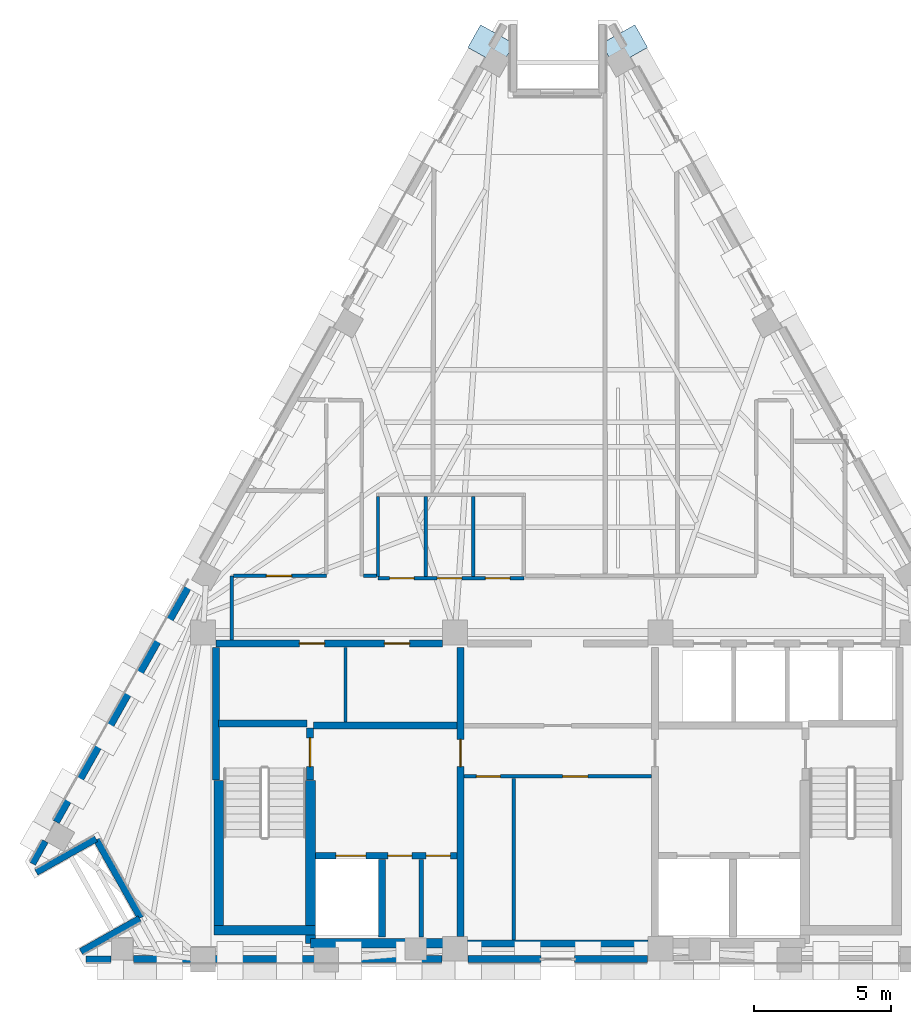
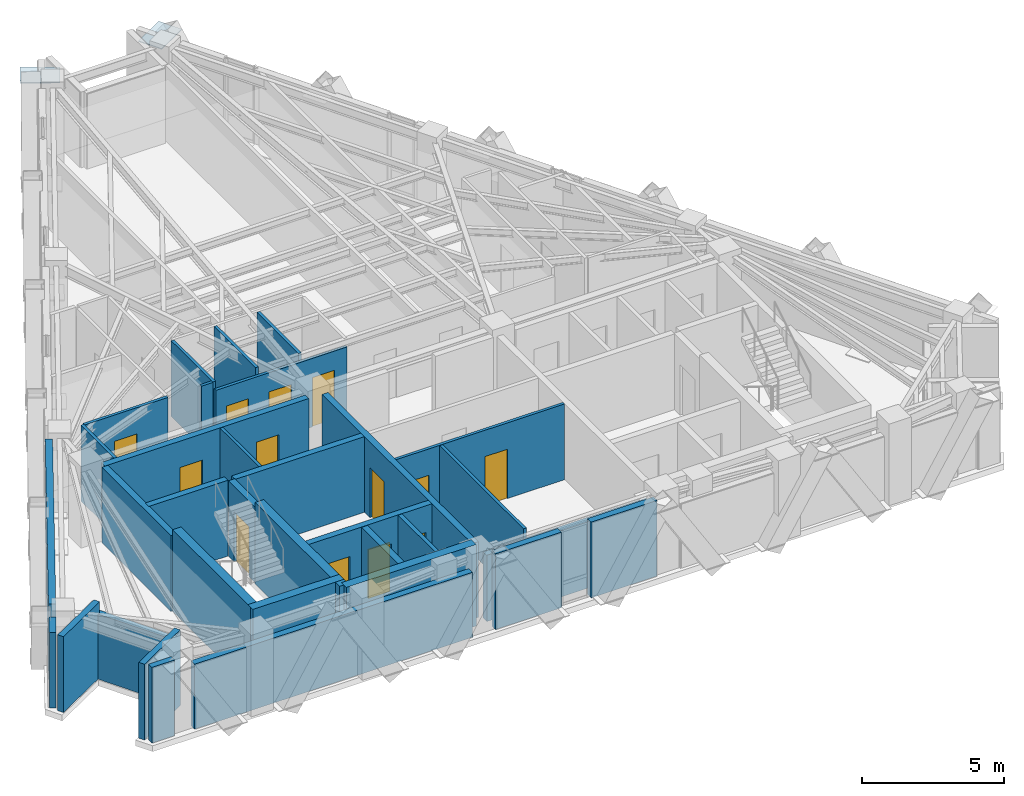
# One storey, part 5 of 9: 33 walls, 13 doors, 2 plates, 13 openings.
"""IFC4 building model written with IfcOpenShell, lengths in metres."""

from ifc_helpers import new_model, si_unit, direction, frame, frame_2d, origin, origin_2d, place, context, subcontext, project, spatial, rectangle, extrude, material, layer, layer_set, type_object, element, fill, save


model = new_model("IFC4")

# Units and contexts
model_context = context("Model", 3, precision=1e-05, world=origin(), true_north=direction((0.0, 1.0)))
body_context = subcontext(model_context, "Body", "Model", "MODEL_VIEW")
ifc_project = project(units=[si_unit("LENGTHUNIT", "METRE"), si_unit("AREAUNIT", "SQUARE_METRE"), si_unit("VOLUMEUNIT", "CUBIC_METRE"), si_unit("PLANEANGLEUNIT", "RADIAN"), si_unit("MASSUNIT", "GRAM", prefix="KILO")], contexts=[model_context])

# Site, building, storey
site_placement = place(None, origin())
site = spatial("IfcSite", under=ifc_project, at=site_placement, CompositionType="ELEMENT")
building_placement = place(site_placement, origin())
building = spatial("IfcBuilding", under=site, at=building_placement, Name="Quenlor Broadcast Tower", CompositionType="ELEMENT")
storey_placement = place(building_placement, frame((0.0, 0.0, 235.89990234375)))
storey = spatial("IfcBuildingStorey", under=building, at=storey_placement, Name="L65", CompositionType="ELEMENT", Elevation=235.89990234375)

# Plates
ifc_material_1 = material(Name="Steel S355", Category="steel")
ifc_layer_1 = layer(ifc_material_1, 0.035888671875)
ifc_layer_set_1 = layer_set([ifc_layer_1], Name="Transfer Truss Steel S355 Gusset Node Plate 1400x950x36")
plate_type = type_object("IfcPlateType", Name="Transfer Truss Steel S355 Gusset Node Plate 1400x950x36", PredefinedType="SHEET", material=ifc_layer_set_1)
for number, where, z_axis, x_axis, name in (
    (1, (2.438232421875, 16.626708984375, 3.18212890625), (0.0, 0.0, 1.0), (0.871556314255, 0.490295412055, 0.0), "L65 Lattice Tie Gusset Node NE-T0"),
    (2, (-2.438232421875, 16.626708984375, 3.18212890625), (0.0, 0.0, 1.0), (-0.871556314255, 0.490295412055, 0.0), "L65 Lattice Tie Gusset Node NW-T15"),
):
    element("IfcPlate", number, at=place(storey_placement, frame(where, z_axis=z_axis, x_axis=x_axis)), inside=storey, type_object=plate_type, Name=name, PredefinedType="SHEET", context=body_context, shape_type="SweptSolid", body=[
        extrude(rectangle(XDim=1.39990234375, YDim=0.949951171875, at=origin_2d()), origin(), (0.0, 0.0, 1.0), 0.035888671875),
    ])

# Walls
ifc_material_2 = material(Name="Concrete C50/60", Category="concrete")
ifc_layer_2 = layer(ifc_material_2, 0.35009765625)
ifc_layer_set_2 = layer_set([ifc_layer_2], Name="Core Concrete C50/60 Shear Wall 350")
wall_type_1 = type_object("IfcWallType", Name="Core Concrete C50/60 Shear Wall 350", PredefinedType="SHEAR", material=ifc_layer_set_2)
wall_1_placement = place(storey_placement, frame((-12.550048828125, -15.675048828125, 0.0), z_axis=(0.0, 0.0, 1.0), x_axis=(1.0, 0.0, 0.0)))
element("IfcWall", 3, at=wall_1_placement, inside=storey, type_object=wall_type_1, Name="L65 Core Shear Wall WS-W1", PredefinedType="SHEAR", context=body_context, shape_type="SweptSolid", body=[
    extrude(rectangle(XDim=3.699951171875, YDim=0.35009765625, at=frame_2d((1.85009765625, 0.0))), origin(), (0.0, 0.0, 1.0), 3.5),
])
wall_2_placement = place(storey_placement, frame((-9.02490234375, -16.14990234375, 0.0), z_axis=(0.0, 0.0, 1.0), x_axis=(1.0, 0.0, 0.0)))
element("IfcWall", 4, at=wall_2_placement, inside=storey, type_object=wall_type_1, Name="L65 Core Shear Wall WS-W2", PredefinedType="SHEAR", context=body_context, shape_type="SweptSolid", body=[
    extrude(rectangle(XDim=5.27490234375, YDim=0.35009765625, at=frame_2d((2.637451171875, 0.0))), origin(), (0.0, 0.0, 1.0), 3.5),
])
wall_3_placement = place(storey_placement, frame((-12.375, -15.675048828125, 0.0), z_axis=(0.0, 0.0, 1.0), x_axis=(0.0, 1.0, 0.0)))
element("IfcWall", 5, at=wall_3_placement, inside=storey, type_object=wall_type_1, Name="L65 Core Shear Wall WF-W", PredefinedType="SHEAR", context=body_context, shape_type="SweptSolid", body=[
    extrude(rectangle(XDim=5.47509765625, YDim=0.35009765625, at=frame_2d((2.737548828125, 0.0))), origin(), (0.0, 0.0, 1.0), 3.5),
])
wall_4_placement = place(storey_placement, frame((-9.02490234375, -16.14990234375, 0.0), z_axis=(0.0, 0.0, 1.0), x_axis=(0.0, 1.0, 0.0)))
element("IfcWall", 6, at=wall_4_placement, inside=storey, type_object=wall_type_1, Name="L65 Core Shear Wall WI-W", PredefinedType="SHEAR", context=body_context, shape_type="SweptSolid", body=[
    extrude(rectangle(XDim=5.949951171875, YDim=0.35009765625, at=frame_2d((2.97509765625, 0.0))), origin(), (0.0, 0.0, 1.0), 3.5),
])

# Wall, opening, door
ifc_material_3 = material(Name="Concrete C40/50", Category="concrete")
ifc_layer_3 = layer(ifc_material_3, 0.25)
ifc_layer_set_3 = layer_set([ifc_layer_3], Name="Fire Rated Concrete C40/50 Core Wall 250")
wall_type_2 = type_object("IfcWallType", Name="Fire Rated Concrete C40/50 Core Wall 250", PredefinedType="PARTITIONING", material=ifc_layer_set_3)
wall_5_placement = place(storey_placement, frame((-9.0400390625, -10.179931640625, 0.0), z_axis=(0.0, 0.0, 1.0), x_axis=(0.0, 1.0, 0.0)))
wall_5 = element("IfcWall", 7, at=wall_5_placement, inside=storey, type_object=wall_type_2, Name="L65 Interior Wall CW-ST1-DR", PredefinedType="PARTITIONING", context=body_context, shape_type="SweptSolid", body=[
    extrude(rectangle(XDim=1.89990234375, YDim=0.25, at=frame_2d((0.949951171875, 0.0))), origin(), (0.0, 0.0, 1.0), 3.25),
])
opening_1_placement = place(wall_5_placement, frame((0.47998046875, 0.0, 0.0)))
opening_1 = element("IfcOpeningElement", 8, at=opening_1_placement, cuts=wall_5, Name="Opening FD-1", PredefinedType="OPENING", context=body_context, shape_type="SweptSolid", body=[
    extrude(rectangle(XDim=1.050048828125, YDim=2.14990234375, at=frame_2d((0.52490234375, 1.074951171875))), frame((0.0, 0.135009765625, 0.0), z_axis=(0.0, -1.0, 0.0), x_axis=(1.0, 0.0, 0.0)), (0.0, 0.0, 1.0), 0.27001953125),
])
ifc_material_4 = material(Name="Fire Rated Steel Door Leaf", Category="steel")
door_type_1 = type_object("IfcDoorType", Name="Fire Isolated Stair Door 1050x2150", OperationType="NOTDEFINED", PredefinedType="DOOR", material=ifc_material_4)
door_1_placement = place(opening_1_placement, origin())
door_1 = element("IfcDoor", 9, at=door_1_placement, inside=storey, type_object=door_type_1, Name="L65 Door DR-ST1", OperationType="SINGLE_SWING_LEFT", OverallHeight=2.14990234375, OverallWidth=1.050048828125, PredefinedType="DOOR", context=body_context, shape_type="SweptSolid", body=[
    extrude(rectangle(XDim=1.050048828125, YDim=2.14990234375, at=frame_2d((0.52490234375, 1.074951171875))), frame((0.0, 0.02490234375, 0.0), z_axis=(0.0, -1.0, 0.0), x_axis=(1.0, 0.0, 0.0)), (0.0, 0.0, 1.0), 0.050048828125),
])
fill(opening_1, door_1)

# Walls
wall_6_placement = place(storey_placement, frame((-12.3798828125, -8.1201171875, 0.0), z_axis=(0.0, 0.0, 1.0), x_axis=(1.0, 0.0, 0.0)))
element("IfcWall", 10, at=wall_6_placement, inside=storey, type_object=wall_type_2, Name="L65 Interior Wall CW-ST1-N", PredefinedType="PARTITIONING", context=body_context, shape_type="SweptSolid", body=[
    extrude(rectangle(XDim=3.219970703125, YDim=0.25, at=frame_2d((1.60986328125, 0.0))), origin(), (0.0, 0.0, 1.0), 3.25),
])
wall_7_placement = place(storey_placement, frame((-12.47998046875, -10.179931640625, 0.0), z_axis=(0.0, 0.0, 1.0), x_axis=(0.0, 1.0, 0.0)))
element("IfcWall", 11, at=wall_7_placement, inside=storey, type_object=wall_type_2, Name="L65 Interior Wall CW-ST1-W2", PredefinedType="PARTITIONING", context=body_context, shape_type="SweptSolid", body=[
    extrude(rectangle(XDim=4.83984375, YDim=0.25, at=frame_2d((2.419921875, 0.0))), origin(), (0.0, 0.0, 1.0), 3.25),
])

# Wall, openings, doors
wall_8_placement = place(storey_placement, frame((-8.847900390625, -12.949951171875, 0.0), z_axis=(0.0, 0.0, 1.0), x_axis=(1.0, 0.0, 0.0)))
wall_8 = element("IfcWall", 12, at=wall_8_placement, inside=storey, type_object=wall_type_2, Name="L65 Interior Wall CW-FFW-S", PredefinedType="PARTITIONING", context=body_context, shape_type="SweptSolid", body=[
    extrude(rectangle(XDim=5.16796875, YDim=0.25, at=frame_2d((2.583984375, 0.0))), origin(), (0.0, 0.0, 1.0), 3.25),
])
opening_2_placement = place(wall_8_placement, frame((0.748046875, 0.0, 0.0)))
opening_2 = element("IfcOpeningElement", 13, at=opening_2_placement, cuts=wall_8, Name="Opening LD-FFL-1", PredefinedType="OPENING", context=body_context, shape_type="SweptSolid", body=[
    extrude(rectangle(XDim=1.10009765625, YDim=2.14990234375, at=frame_2d((0.550048828125, 1.074951171875))), frame((0.0, 0.135009765625, 0.0), z_axis=(0.0, -1.0, 0.0), x_axis=(1.0, 0.0, 0.0)), (0.0, 0.0, 1.0), 0.27001953125),
])
opening_3_placement = place(wall_8_placement, frame((2.64794921875, 0.0, 0.0)))
opening_3 = element("IfcOpeningElement", 14, at=opening_3_placement, cuts=wall_8, Name="Opening TD-1", PredefinedType="OPENING", context=body_context, shape_type="SweptSolid", body=[
    extrude(rectangle(XDim=0.8798828125, YDim=2.10009765625, at=frame_2d((0.43994140625, 1.050048828125))), frame((0.0, 0.135009765625, 0.0), z_axis=(0.0, -1.0, 0.0), x_axis=(1.0, 0.0, 0.0)), (0.0, 0.0, 1.0), 0.27001953125),
])
opening_4_placement = place(wall_8_placement, frame((4.048095703125, 0.0, 0.0)))
opening_4 = element("IfcOpeningElement", 15, at=opening_4_placement, cuts=wall_8, Name="Opening TD-1", PredefinedType="OPENING", context=body_context, shape_type="SweptSolid", body=[
    extrude(rectangle(XDim=0.8798828125, YDim=2.10009765625, at=frame_2d((0.43994140625, 1.050048828125))), frame((0.0, 0.135009765625, 0.0), z_axis=(0.0, -1.0, 0.0), x_axis=(1.0, 0.0, 0.0)), (0.0, 0.0, 1.0), 0.27001953125),
])
ifc_material_5 = material(Name="Brushed Stainless Steel", Category="steel")
door_type_2 = type_object("IfcDoorType", Name="Emergency Lift Sliding Landing Door 1100x2150", OperationType="NOTDEFINED", PredefinedType="DOOR", material=ifc_material_5)
door_2_placement = place(opening_2_placement, origin())
door_2 = element("IfcDoor", 16, at=door_2_placement, inside=storey, type_object=door_type_2, Name="L65 Door LD-FFL-1", OperationType="SLIDING_TO_LEFT", OverallHeight=2.14990234375, OverallWidth=1.10009765625, PredefinedType="DOOR", context=body_context, shape_type="SweptSolid", body=[
    extrude(rectangle(XDim=1.10009765625, YDim=2.14990234375, at=frame_2d((0.550048828125, 1.074951171875))), frame((0.0, 0.02490234375, 0.0), z_axis=(0.0, -1.0, 0.0), x_axis=(1.0, 0.0, 0.0)), (0.0, 0.0, 1.0), 0.050048828125),
])
fill(opening_2, door_2)
ifc_material_6 = material(Name="Fire Rated Steel Access Panel", Category="steel")
door_type_3 = type_object("IfcDoorType", Name="Riser Shaft Rated Access Trapdoor 880x2100", OperationType="NOTDEFINED", PredefinedType="TRAPDOOR", material=ifc_material_6)
door_3_placement = place(opening_3_placement, origin())
door_3 = element("IfcDoor", 17, at=door_3_placement, inside=storey, type_object=door_type_3, Name="L65 Door DR-ELR", OperationType="SINGLE_SWING_LEFT", OverallHeight=2.10009765625, OverallWidth=0.8798828125, PredefinedType="TRAPDOOR", context=body_context, shape_type="SweptSolid", body=[
    extrude(rectangle(XDim=0.8798828125, YDim=2.10009765625, at=frame_2d((0.43994140625, 1.050048828125))), frame((0.0, 0.02490234375, 0.0), z_axis=(0.0, -1.0, 0.0), x_axis=(1.0, 0.0, 0.0)), (0.0, 0.0, 1.0), 0.050048828125),
])
fill(opening_3, door_3)
door_4_placement = place(opening_4_placement, origin())
door_4 = element("IfcDoor", 18, at=door_4_placement, inside=storey, type_object=door_type_3, Name="L65 Door DR-CMR", OperationType="SINGLE_SWING_RIGHT", OverallHeight=2.10009765625, OverallWidth=0.8798828125, PredefinedType="TRAPDOOR", context=body_context, shape_type="SweptSolid", body=[
    extrude(rectangle(XDim=0.8798828125, YDim=2.10009765625, at=frame_2d((0.43994140625, 1.050048828125))), frame((0.0, 0.02490234375, 0.0), z_axis=(0.0, -1.0, 0.0), x_axis=(1.0, 0.0, 0.0)), (0.0, 0.0, 1.0), 0.050048828125),
])
fill(opening_4, door_4)

# Walls
wall_9_placement = place(storey_placement, frame((-6.419921875, -15.919921875, 0.0), z_axis=(0.0, 0.0, 1.0), x_axis=(0.0, 1.0, 0.0)))
element("IfcWall", 19, at=wall_9_placement, inside=storey, type_object=wall_type_2, Name="L65 Interior Wall CW-FF1-E", PredefinedType="PARTITIONING", context=body_context, shape_type="SweptSolid", body=[
    extrude(rectangle(XDim=2.829833984375, YDim=0.25, at=frame_2d((1.4150390625, 0.0))), origin(), (0.0, 0.0, 1.0), 3.25),
])
wall_10_placement = place(storey_placement, frame((-8.919921875, -8.199951171875, 0.0), z_axis=(0.0, 0.0, 1.0), x_axis=(1.0, 0.0, 0.0)))
element("IfcWall", 20, at=wall_10_placement, inside=storey, type_object=wall_type_2, Name="L65 Interior Wall CW-FFW-N", PredefinedType="PARTITIONING", context=body_context, shape_type="SweptSolid", body=[
    extrude(rectangle(XDim=5.239990234375, YDim=0.25, at=frame_2d((2.6201171875, 0.0))), origin(), (0.0, 0.0, 1.0), 3.25),
])

# Wall, opening, door
wall_11_placement = place(storey_placement, frame((-3.550048828125, -15.89794921875, 0.0), z_axis=(0.0, 0.0, 1.0), x_axis=(0.0, 1.0, 0.0)))
wall_11 = element("IfcWall", 21, at=wall_11_placement, inside=storey, type_object=wall_type_2, Name="L65 Interior Wall CW-FFW-E", PredefinedType="PARTITIONING", context=body_context, shape_type="SweptSolid", body=[
    extrude(rectangle(XDim=10.557861328125, YDim=0.25, at=frame_2d((5.27880859375, 0.0))), origin(), (0.0, 0.0, 1.0), 3.25),
])
opening_5_placement = place(wall_11_placement, frame((6.197998046875, 0.0, 0.0)))
opening_5 = element("IfcOpeningElement", 22, at=opening_5_placement, cuts=wall_11, Name="Opening FD-2", PredefinedType="OPENING", context=body_context, shape_type="SweptSolid", body=[
    extrude(rectangle(XDim=1.0, YDim=2.14990234375, at=frame_2d((0.5, 1.074951171875))), frame((0.0, 0.135009765625, 0.0), z_axis=(0.0, -1.0, 0.0), x_axis=(1.0, 0.0, 0.0)), (0.0, 0.0, 1.0), 0.27001953125),
])
ifc_material_7 = material(Name="Fire Rated Glazed Steel Door", Category="steel")
door_type_4 = type_object("IfcDoorType", Name="Firefighting Lobby Smoke Door 1000x2150", OperationType="NOTDEFINED", PredefinedType="DOOR", material=ifc_material_7)
door_5_placement = place(opening_5_placement, origin())
door_5 = element("IfcDoor", 23, at=door_5_placement, inside=storey, type_object=door_type_4, Name="L65 Door DR-FFLW", OperationType="SINGLE_SWING_RIGHT", OverallHeight=2.14990234375, OverallWidth=1.0, PredefinedType="DOOR", context=body_context, shape_type="SweptSolid", body=[
    extrude(rectangle(XDim=1.0, YDim=2.14990234375, at=frame_2d((0.5, 1.074951171875))), frame((0.0, 0.02490234375, 0.0), z_axis=(0.0, -1.0, 0.0), x_axis=(1.0, 0.0, 0.0)), (0.0, 0.0, 1.0), 0.050048828125),
])
fill(opening_5, door_5)

# Wall, openings, doors
wall_12_placement = place(storey_placement, frame((-12.47998046875, -5.199951171875, 0.0), z_axis=(0.0, 0.0, 1.0), x_axis=(1.0, 0.0, 0.0)))
wall_12 = element("IfcWall", 24, at=wall_12_placement, inside=storey, type_object=wall_type_2, Name="L65 Interior Wall CW-N-W", PredefinedType="PARTITIONING", context=body_context, shape_type="SweptSolid", body=[
    extrude(rectangle(XDim=8.278076171875, YDim=0.25, at=frame_2d((4.13916015625, 0.0))), origin(), (0.0, 0.0, 1.0), 3.25),
])
opening_6_placement = place(wall_12_placement, frame((3.050048828125, 0.0, 0.0)))
opening_6 = element("IfcOpeningElement", 25, at=opening_6_placement, cuts=wall_12, Name="Opening ID-1", PredefinedType="OPENING", context=body_context, shape_type="SweptSolid", body=[
    extrude(rectangle(XDim=0.919921875, YDim=2.1201171875, at=frame_2d((0.4599609375, 1.06005859375))), frame((0.0, 0.135009765625, 0.0), z_axis=(0.0, -1.0, 0.0), x_axis=(1.0, 0.0, 0.0)), (0.0, 0.0, 1.0), 0.27001953125),
])
opening_7_placement = place(wall_12_placement, frame((6.14990234375, 0.0, 0.0)))
opening_7 = element("IfcOpeningElement", 26, at=opening_7_placement, cuts=wall_12, Name="Opening ID-1", PredefinedType="OPENING", context=body_context, shape_type="SweptSolid", body=[
    extrude(rectangle(XDim=0.919921875, YDim=2.1201171875, at=frame_2d((0.4599609375, 1.06005859375))), frame((0.0, 0.135009765625, 0.0), z_axis=(0.0, -1.0, 0.0), x_axis=(1.0, 0.0, 0.0)), (0.0, 0.0, 1.0), 0.27001953125),
])
ifc_material_8 = material(Name="Solid Core Timber Oak", Category="wood")
door_type_5 = type_object("IfcDoorType", Name="Single Leaf Timber Office Door 920x2120", OperationType="NOTDEFINED", PredefinedType="DOOR", material=ifc_material_8)
door_6_placement = place(opening_6_placement, origin())
door_6 = element("IfcDoor", 27, at=door_6_placement, inside=storey, type_object=door_type_5, Name="L65 Door DR-RCL1", OperationType="SINGLE_SWING_LEFT", OverallHeight=2.1201171875, OverallWidth=0.919921875, PredefinedType="DOOR", context=body_context, shape_type="SweptSolid", body=[
    extrude(rectangle(XDim=0.919921875, YDim=2.1201171875, at=frame_2d((0.4599609375, 1.06005859375))), frame((0.0, 0.02490234375, 0.0), z_axis=(0.0, -1.0, 0.0), x_axis=(1.0, 0.0, 0.0)), (0.0, 0.0, 1.0), 0.050048828125),
])
fill(opening_6, door_6)
door_7_placement = place(opening_7_placement, origin())
door_7 = element("IfcDoor", 28, at=door_7_placement, inside=storey, type_object=door_type_5, Name="L65 Door DR-RCL2", OperationType="SINGLE_SWING_RIGHT", OverallHeight=2.1201171875, OverallWidth=0.919921875, PredefinedType="DOOR", context=body_context, shape_type="SweptSolid", body=[
    extrude(rectangle(XDim=0.919921875, YDim=2.1201171875, at=frame_2d((0.4599609375, 1.06005859375))), frame((0.0, 0.02490234375, 0.0), z_axis=(0.0, -1.0, 0.0), x_axis=(1.0, 0.0, 0.0)), (0.0, 0.0, 1.0), 0.050048828125),
])
fill(opening_7, door_7)

# Walls
wall_13_placement = place(storey_placement, frame((-3.298095703125, -16.14990234375, 0.0), z_axis=(0.0, 0.0, 1.0), x_axis=(1.0, 0.0, 0.0)))
element("IfcWall", 29, at=wall_13_placement, inside=storey, type_object=wall_type_2, Name="L65 Interior Wall CW-MS-S", PredefinedType="PARTITIONING", context=body_context, shape_type="SweptSolid", body=[
    extrude(rectangle(XDim=6.59619140625, YDim=0.25, at=frame_2d((3.298095703125, 0.0))), origin(), (0.0, 0.0, 1.0), 2.84375),
])
ifc_material_9 = material(Name="Gypsum Fireboard Partition", Category="other")
ifc_layer_4 = layer(ifc_material_9, 0.159912109375)
ifc_layer_set_4 = layer_set([ifc_layer_4], Name="Fire Rated Shaft and Corridor Partition 160")
wall_type_3 = type_object("IfcWallType", Name="Fire Rated Shaft and Corridor Partition 160", PredefinedType="PARTITIONING", material=ifc_layer_set_4)
wall_14_placement = place(storey_placement, frame((-4.97998046875, -15.919921875, 0.0), z_axis=(0.0, 0.0, 1.0), x_axis=(0.0, 1.0, 0.0)))
element("IfcWall", 30, at=wall_14_placement, inside=storey, type_object=wall_type_3, Name="L65 Interior Wall CW-ELR-E", PredefinedType="PARTITIONING", context=body_context, shape_type="SweptSolid", body=[
    extrude(rectangle(XDim=2.829833984375, YDim=0.159912109375, at=frame_2d((1.4150390625, 0.0))), origin(), (0.0, 0.0, 1.0), 3.25),
])
ifc_material_10 = material(Name="Gypsum Plasterboard Partition", Category="other")
ifc_layer_5 = layer(ifc_material_10, 0.1201171875)
ifc_layer_set_5 = layer_set([ifc_layer_5], Name="Standard Office Partition 120")
wall_type_4 = type_object("IfcWallType", Name="Standard Office Partition 120", PredefinedType="PARTITIONING", material=ifc_layer_set_5)
wall_15_placement = place(storey_placement, frame((-7.75, -8.072998046875, 0.0), z_axis=(0.0, 0.0, 1.0), x_axis=(0.0, 1.0, 0.0)))
element("IfcWall", 31, at=wall_15_placement, inside=storey, type_object=wall_type_4, Name="L65 Interior Wall CW-RCL-MID", PredefinedType="PARTITIONING", context=body_context, shape_type="SweptSolid", body=[
    extrude(rectangle(XDim=2.73291015625, YDim=0.1201171875, at=frame_2d((1.366455078125, 0.0))), origin(), (0.0, 0.0, 1.0), 3.25),
])

# Wall, openings, doors
wall_16_placement = place(storey_placement, frame((-3.419921875, -10.050048828125, 0.0), z_axis=(0.0, 0.0, 1.0), x_axis=(1.0, 0.0, 0.0)))
wall_16 = element("IfcWall", 32, at=wall_16_placement, inside=storey, type_object=wall_type_4, Name="L65 Interior Wall CW-MS-N", PredefinedType="PARTITIONING", context=body_context, shape_type="SweptSolid", body=[
    extrude(rectangle(XDim=6.83984375, YDim=0.1201171875, at=frame_2d((3.419921875, 0.0))), origin(), (0.0, 0.0, 1.0), 3.25),
])
opening_8_placement = place(wall_16_placement, frame((0.449951171875, 0.0, 0.0)))
opening_8 = element("IfcOpeningElement", 33, at=opening_8_placement, cuts=wall_16, Name="Opening ID-4", PredefinedType="OPENING", context=body_context, shape_type="SweptSolid", body=[
    extrude(rectangle(XDim=0.8798828125, YDim=2.1201171875, at=frame_2d((0.43994140625, 1.06005859375))), frame((0.0, 0.070068359375, 0.0), z_axis=(0.0, -1.0, 0.0), x_axis=(1.0, 0.0, 0.0)), (0.0, 0.0, 1.0), 0.14013671875),
])
opening_9_placement = place(wall_16_placement, frame((3.60009765625, 0.0, 0.0)))
opening_9 = element("IfcOpeningElement", 34, at=opening_9_placement, cuts=wall_16, Name="Opening ID-1", PredefinedType="OPENING", context=body_context, shape_type="SweptSolid", body=[
    extrude(rectangle(XDim=0.919921875, YDim=2.1201171875, at=frame_2d((0.4599609375, 1.06005859375))), frame((0.0, 0.070068359375, 0.0), z_axis=(0.0, -1.0, 0.0), x_axis=(1.0, 0.0, 0.0)), (0.0, 0.0, 1.0), 0.14013671875),
])
ifc_material_11 = material(Name="Solid Core Timber Oak", Category="wood")
door_type_6 = type_object("IfcDoorType", Name="Service Closet Timber Door 880x2120", OperationType="NOTDEFINED", PredefinedType="DOOR", material=ifc_material_11)
door_8_placement = place(opening_8_placement, origin())
door_8 = element("IfcDoor", 35, at=door_8_placement, inside=storey, type_object=door_type_6, Name="L65 Door DR-RCMA", OperationType="SINGLE_SWING_LEFT", OverallHeight=2.1201171875, OverallWidth=0.8798828125, PredefinedType="DOOR", context=body_context, shape_type="SweptSolid", body=[
    extrude(rectangle(XDim=0.8798828125, YDim=2.1201171875, at=frame_2d((0.43994140625, 1.06005859375))), frame((0.0, 0.02490234375, 0.0), z_axis=(0.0, -1.0, 0.0), x_axis=(1.0, 0.0, 0.0)), (0.0, 0.0, 1.0), 0.050048828125),
])
fill(opening_8, door_8)
door_9_placement = place(opening_9_placement, origin())
door_9 = element("IfcDoor", 36, at=door_9_placement, inside=storey, type_object=door_type_5, Name="L65 Door DR-RCMB", OperationType="SINGLE_SWING_RIGHT", OverallHeight=2.1201171875, OverallWidth=0.919921875, PredefinedType="DOOR", context=body_context, shape_type="SweptSolid", body=[
    extrude(rectangle(XDim=0.919921875, YDim=2.1201171875, at=frame_2d((0.4599609375, 1.06005859375))), frame((0.0, 0.02490234375, 0.0), z_axis=(0.0, -1.0, 0.0), x_axis=(1.0, 0.0, 0.0)), (0.0, 0.0, 1.0), 0.050048828125),
])
fill(opening_9, door_9)

# Wall
wall_17_placement = place(storey_placement, frame((-1.60009765625, -16.02001953125, 0.0), z_axis=(0.0, 0.0, 1.0), x_axis=(0.0, 1.0, 0.0)))
element("IfcWall", 37, at=wall_17_placement, inside=storey, type_object=wall_type_4, Name="L65 Interior Wall CW-RCM-X1", PredefinedType="PARTITIONING", context=body_context, shape_type="SweptSolid", body=[
    extrude(rectangle(XDim=5.89013671875, YDim=0.1201171875, at=frame_2d((2.945068359375, 0.0))), origin(), (0.0, 0.0, 1.0), 3.25),
])

# Wall, openings, doors
wall_18_placement = place(storey_placement, frame((-6.56005859375, -2.820068359375, 0.0), z_axis=(0.0, 0.0, 1.0), x_axis=(1.0, 0.0, 0.0)))
wall_18 = element("IfcWall", 38, at=wall_18_placement, inside=storey, type_object=wall_type_4, Name="L65 Interior Wall PW-WC-S", PredefinedType="PARTITIONING", context=body_context, shape_type="SweptSolid", body=[
    extrude(rectangle(XDim=5.320068359375, YDim=0.1201171875, at=frame_2d((2.66015625, 0.0))), origin(), (0.0, 0.0, 1.0), 2.94287109375),
])
opening_10_placement = place(wall_18_placement, frame((0.419921875, 0.0, 0.0)))
opening_10 = element("IfcOpeningElement", 39, at=opening_10_placement, cuts=wall_18, Name="Opening ID-3", PredefinedType="OPENING", context=body_context, shape_type="SweptSolid", body=[
    extrude(rectangle(XDim=0.89990234375, YDim=2.1201171875, at=frame_2d((0.449951171875, 1.06005859375))), frame((0.0, 0.070068359375, 0.0), z_axis=(0.0, -1.0, 0.0), x_axis=(1.0, 0.0, 0.0)), (0.0, 0.0, 1.0), 0.14013671875),
])
opening_11_placement = place(wall_18_placement, frame((2.159912109375, 0.0, 0.0)))
opening_11 = element("IfcOpeningElement", 40, at=opening_11_placement, cuts=wall_18, Name="Opening ID-3", PredefinedType="OPENING", context=body_context, shape_type="SweptSolid", body=[
    extrude(rectangle(XDim=0.89990234375, YDim=2.1201171875, at=frame_2d((0.449951171875, 1.06005859375))), frame((0.0, 0.070068359375, 0.0), z_axis=(0.0, -1.0, 0.0), x_axis=(1.0, 0.0, 0.0)), (0.0, 0.0, 1.0), 0.14013671875),
])
opening_12_placement = place(wall_18_placement, frame((3.919921875, 0.0, 0.0)))
opening_12 = element("IfcOpeningElement", 41, at=opening_12_placement, cuts=wall_18, Name="Opening ID-3", PredefinedType="OPENING", context=body_context, shape_type="SweptSolid", body=[
    extrude(rectangle(XDim=0.89990234375, YDim=2.1201171875, at=frame_2d((0.449951171875, 1.06005859375))), frame((0.0, 0.070068359375, 0.0), z_axis=(0.0, -1.0, 0.0), x_axis=(1.0, 0.0, 0.0)), (0.0, 0.0, 1.0), 0.14013671875),
])
ifc_material_12 = material(Name="Moisture Resistant Timber Oak", Category="wood")
door_type_7 = type_object("IfcDoorType", Name="Washroom Privacy Door 900x2120", OperationType="NOTDEFINED", PredefinedType="DOOR", material=ifc_material_12)
door_10_placement = place(opening_10_placement, origin())
door_10 = element("IfcDoor", 42, at=door_10_placement, inside=storey, type_object=door_type_7, Name="L65 Door DR-FWC", OperationType="SINGLE_SWING_LEFT", OverallHeight=2.1201171875, OverallWidth=0.89990234375, PredefinedType="DOOR", context=body_context, shape_type="SweptSolid", body=[
    extrude(rectangle(XDim=0.89990234375, YDim=2.1201171875, at=frame_2d((0.449951171875, 1.06005859375))), frame((0.0, 0.02490234375, 0.0), z_axis=(0.0, -1.0, 0.0), x_axis=(1.0, 0.0, 0.0)), (0.0, 0.0, 1.0), 0.050048828125),
])
fill(opening_10, door_10)
door_11_placement = place(opening_11_placement, origin())
door_11 = element("IfcDoor", 43, at=door_11_placement, inside=storey, type_object=door_type_7, Name="L65 Door DR-MWC", OperationType="SINGLE_SWING_RIGHT", OverallHeight=2.1201171875, OverallWidth=0.89990234375, PredefinedType="DOOR", context=body_context, shape_type="SweptSolid", body=[
    extrude(rectangle(XDim=0.89990234375, YDim=2.1201171875, at=frame_2d((0.449951171875, 1.06005859375))), frame((0.0, 0.02490234375, 0.0), z_axis=(0.0, -1.0, 0.0), x_axis=(1.0, 0.0, 0.0)), (0.0, 0.0, 1.0), 0.050048828125),
])
fill(opening_11, door_11)
door_12_placement = place(opening_12_placement, origin())
door_12 = element("IfcDoor", 44, at=door_12_placement, inside=storey, type_object=door_type_7, Name="L65 Door DR-AWC", OperationType="SINGLE_SWING_RIGHT", OverallHeight=2.1201171875, OverallWidth=0.89990234375, PredefinedType="DOOR", context=body_context, shape_type="SweptSolid", body=[
    extrude(rectangle(XDim=0.89990234375, YDim=2.1201171875, at=frame_2d((0.449951171875, 1.06005859375))), frame((0.0, 0.02490234375, 0.0), z_axis=(0.0, -1.0, 0.0), x_axis=(1.0, 0.0, 0.0)), (0.0, 0.0, 1.0), 0.050048828125),
])
fill(opening_12, door_12)

# Walls
for number, where, z_axis, x_axis, name in (
    (45, (-6.56005859375, -2.758056640625, 0.0), (0.0, 0.0, 1.0), (0.0, 1.0, 0.0), "L65 Interior Wall PW-WC-W"),
    (46, (-4.820068359375, -2.758056640625, 0.0), (0.0, 0.0, 1.0), (0.0, 1.0, 0.0), "L65 Interior Wall PW-WC-M1"),
    (47, (-3.080078125, -2.758056640625, 0.0), (0.0, 0.0, 1.0), (0.0, 1.0, 0.0), "L65 Interior Wall PW-WC-M2"),
):
    element("IfcWall", number, at=place(storey_placement, frame(where, z_axis=z_axis, x_axis=x_axis)), inside=storey, type_object=wall_type_4, Name=name, PredefinedType="PARTITIONING", context=body_context, shape_type="SweptSolid", body=[
        extrude(rectangle(XDim=2.926025390625, YDim=0.1201171875, at=frame_2d((1.462890625, 0.0))), origin(), (0.0, 0.0, 1.0), 3.25),
    ])
wall_19_placement = place(storey_placement, frame((-11.89990234375, -5.072998046875, 0.0), z_axis=(0.0, 0.0, 1.0), x_axis=(0.0, 1.0, 0.0)))
element("IfcWall", 48, at=wall_19_placement, inside=storey, type_object=wall_type_4, Name="L65 Interior Wall PW-CR-01", PredefinedType="PARTITIONING", context=body_context, shape_type="SweptSolid", body=[
    extrude(rectangle(XDim=2.343017578125, YDim=0.1201171875, at=frame_2d((1.17138671875, 0.0))), origin(), (0.0, 0.0, 1.0), 3.25),
])

# Wall, opening, door
wall_20_placement = place(storey_placement, frame((-11.837890625, -2.72998046875, 0.0), z_axis=(0.0, 0.0, 1.0), x_axis=(1.0, 0.0, 0.0)))
wall_20 = element("IfcWall", 49, at=wall_20_placement, inside=storey, type_object=wall_type_4, Name="L65 Interior Wall PW-CR-02", PredefinedType="PARTITIONING", context=body_context, shape_type="SweptSolid", body=[
    extrude(rectangle(XDim=3.387939453125, YDim=0.1201171875, at=frame_2d((1.69384765625, 0.0))), origin(), (0.0, 0.0, 1.0), 3.25),
])
opening_13_placement = place(wall_20_placement, frame((1.202880859375, 0.0, 0.0)))
opening_13 = element("IfcOpeningElement", 50, at=opening_13_placement, cuts=wall_20, Name="Opening ID-1", PredefinedType="OPENING", context=body_context, shape_type="SweptSolid", body=[
    extrude(rectangle(XDim=0.919921875, YDim=2.1201171875, at=frame_2d((0.4599609375, 1.06005859375))), frame((0.0, 0.070068359375, 0.0), z_axis=(0.0, -1.0, 0.0), x_axis=(1.0, 0.0, 0.0)), (0.0, 0.0, 1.0), 0.14013671875),
])
door_13_placement = place(opening_13_placement, origin())
door_13 = element("IfcDoor", 51, at=door_13_placement, inside=storey, type_object=door_type_5, Name="L65 Door DR-RM07", OperationType="SINGLE_SWING_LEFT", OverallHeight=2.1201171875, OverallWidth=0.919921875, PredefinedType="DOOR", context=body_context, shape_type="SweptSolid", body=[
    extrude(rectangle(XDim=0.919921875, YDim=2.1201171875, at=frame_2d((0.4599609375, 1.06005859375))), frame((0.0, 0.02490234375, 0.0), z_axis=(0.0, -1.0, 0.0), x_axis=(1.0, 0.0, 0.0)), (0.0, 0.0, 1.0), 0.050048828125),
])
fill(opening_13, door_13)

# Walls
wall_21_placement = place(storey_placement, frame((-7.087890625, -2.72998046875, 0.0), z_axis=(0.0, 0.0, 1.0), x_axis=(1.0, 0.0, 0.0)))
element("IfcWall", 52, at=wall_21_placement, inside=storey, type_object=wall_type_4, Name="L65 Interior Wall PW-CR-06", PredefinedType="PARTITIONING", context=body_context, shape_type="SweptSolid", body=[
    extrude(rectangle(XDim=0.4658203125, YDim=0.1201171875, at=frame_2d((0.23291015625, 0.0))), origin(), (0.0, 0.0, 1.0), 3.25),
])
ifc_material_13 = material(Name="Precast concrete C40/50", Category="concrete")
ifc_layer_6 = layer(ifc_material_13, 0.239990234375)
ifc_layer_set_6 = layer_set([ifc_layer_6], Name="Terrace Threshold Precast Concrete C40/50 Wall 240")
wall_type_5 = type_object("IfcWallType", Name="Terrace Threshold Precast Concrete C40/50 Wall 240", PredefinedType="STANDARD", material=ifc_layer_set_6)
wall_22_placement = place(storey_placement, frame((-16.302490234375, -16.72509765625, 0.0), z_axis=(0.0, 0.0, 1.0), x_axis=(-1.0, 0.0, 0.0)))
element("IfcWall", 53, at=wall_22_placement, inside=storey, type_object=wall_type_5, Name="L65 Exterior Wall L65-SHD-SS1", PredefinedType="STANDARD", context=body_context, shape_type="SweptSolid", body=[
    extrude(rectangle(XDim=0.91748046875, YDim=0.239990234375, at=frame_2d((0.458740234375, 0.0))), origin(), (0.0, 0.0, 1.0), 3.25),
])
wall_23_placement = place(storey_placement, frame((-19.1708984375, -13.242431640625, 0.0), z_axis=(0.0, 0.0, 1.0), x_axis=(0.490199895283, 0.871610040479, 0.0)))
element("IfcWall", 54, at=wall_23_placement, inside=storey, type_object=wall_type_5, Name="L65 Exterior Wall L65-SHD-NWS0", PredefinedType="STANDARD", context=body_context, shape_type="SweptSolid", body=[
    extrude(rectangle(XDim=0.94482421875, YDim=0.239990234375, at=frame_2d((0.472412109375, 0.0))), origin(), (0.0, 0.0, 1.0), 3.25),
])
wall_24_placement = place(storey_placement, frame((-19.033447265625, -13.556396484375, 0.0), z_axis=(0.0, 0.0, 1.0), x_axis=(0.871588577066, 0.490238056792, 0.0)))
element("IfcWall", 55, at=wall_24_placement, inside=storey, type_object=wall_type_5, Name="L65 Exterior Wall L65-CNR-13", PredefinedType="STANDARD", context=body_context, shape_type="SweptSolid", body=[
    extrude(rectangle(XDim=2.5, YDim=0.239990234375, at=frame_2d((1.25, 0.0))), origin(), (0.0, 0.0, 1.0), 3.25),
])
wall_25_placement = place(storey_placement, frame((-16.8349609375, -12.36572265625, 0.0), z_axis=(0.0, 0.0, 1.0), x_axis=(0.490293083368, -0.871557624258, 0.0)))
element("IfcWall", 56, at=wall_25_placement, inside=storey, type_object=wall_type_5, Name="L65 Exterior Wall L65-CNR-14", PredefinedType="STANDARD", context=body_context, shape_type="SweptSolid", body=[
    extrude(rectangle(XDim=3.276123046875, YDim=0.239990234375, at=frame_2d((1.63818359375, 0.0))), origin(), (0.0, 0.0, 1.0), 2.789794921875),
])
wall_26_placement = place(storey_placement, frame((-15.263671875, -15.240478515625, 0.0), z_axis=(0.0, 0.0, 1.0), x_axis=(-0.87157023615, -0.490270663468, 0.0)))
element("IfcWall", 57, at=wall_26_placement, inside=storey, type_object=wall_type_5, Name="L65 Exterior Wall L65-CNR-15", PredefinedType="STANDARD", context=body_context, shape_type="SweptSolid", body=[
    extrude(rectangle(XDim=2.4599609375, YDim=0.239990234375, at=frame_2d((1.22998046875, 0.0))), origin(), (0.0, 0.0, 1.0), 3.25),
])
ifc_material_14 = material(Name="Precast concrete C40/50", Category="concrete")
ifc_layer_7 = layer(ifc_material_14, 0.260009765625)
ifc_layer_set_7 = layer_set([ifc_layer_7], Name="Terracotta Precast Concrete C40/50 Upper Wall 260")
wall_type_6 = type_object("IfcWallType", Name="Terracotta Precast Concrete C40/50 Upper Wall 260", PredefinedType="STANDARD", material=ifc_layer_set_7)
wall_27_placement = place(storey_placement, frame((-4.219970703125, -16.72509765625, 0.0), z_axis=(0.0, 0.0, 1.0), x_axis=(-1.0, 0.0, 0.0)))
element("IfcWall", 58, at=wall_27_placement, inside=storey, type_object=wall_type_6, Name="L65 Exterior Wall L65-EW-SC", PredefinedType="STANDARD", context=body_context, shape_type="SweptSolid", body=[
    extrude(rectangle(XDim=11.272705078125, YDim=0.260009765625, at=frame_2d((5.63623046875, 0.0))), origin(), (0.0, 0.0, 1.0), 2.789794921875),
])
for number, where, z_axis, x_axis, name in (
    (59, (3.280029296875, -16.72509765625, 0.0), (0.0, 0.0, 1.0), (-1.0, 0.0, 0.0), "L65 Exterior Wall L65-S-SP1"),
    (60, (-0.605712890625, -16.72509765625, 0.0), (0.0, 0.0, 1.0), (-1.0, 0.0, 0.0), "L65 Exterior Wall L65-S-SP2"),
):
    element("IfcWall", number, at=place(storey_placement, frame(where, z_axis=z_axis, x_axis=x_axis)), inside=storey, type_object=wall_type_6, Name=name, PredefinedType="STANDARD", context=body_context, shape_type="SweptSolid", body=[
        extrude(rectangle(XDim=2.67431640625, YDim=0.260009765625, at=frame_2d((1.337158203125, 0.0))), origin(), (0.0, 0.0, 1.0), 3.25),
    ])
wall_28_placement = place(storey_placement, frame((-18.310546875, -11.712890625, 0.0), z_axis=(0.0, 0.0, 1.0), x_axis=(0.490266968583, 0.871572314565, 0.0)))
element("IfcWall", 61, at=wall_28_placement, inside=storey, type_object=wall_type_6, Name="L65 Exterior Wall L65-EW-NWA", PredefinedType="STANDARD", context=body_context, shape_type="SweptSolid", body=[
    extrude(rectangle(XDim=10.116455078125, YDim=0.260009765625, at=frame_2d((5.05810546875, 0.0))), origin(), (0.0, 0.0, 1.0), 3.25),
])

save(model, "model.ifc")
